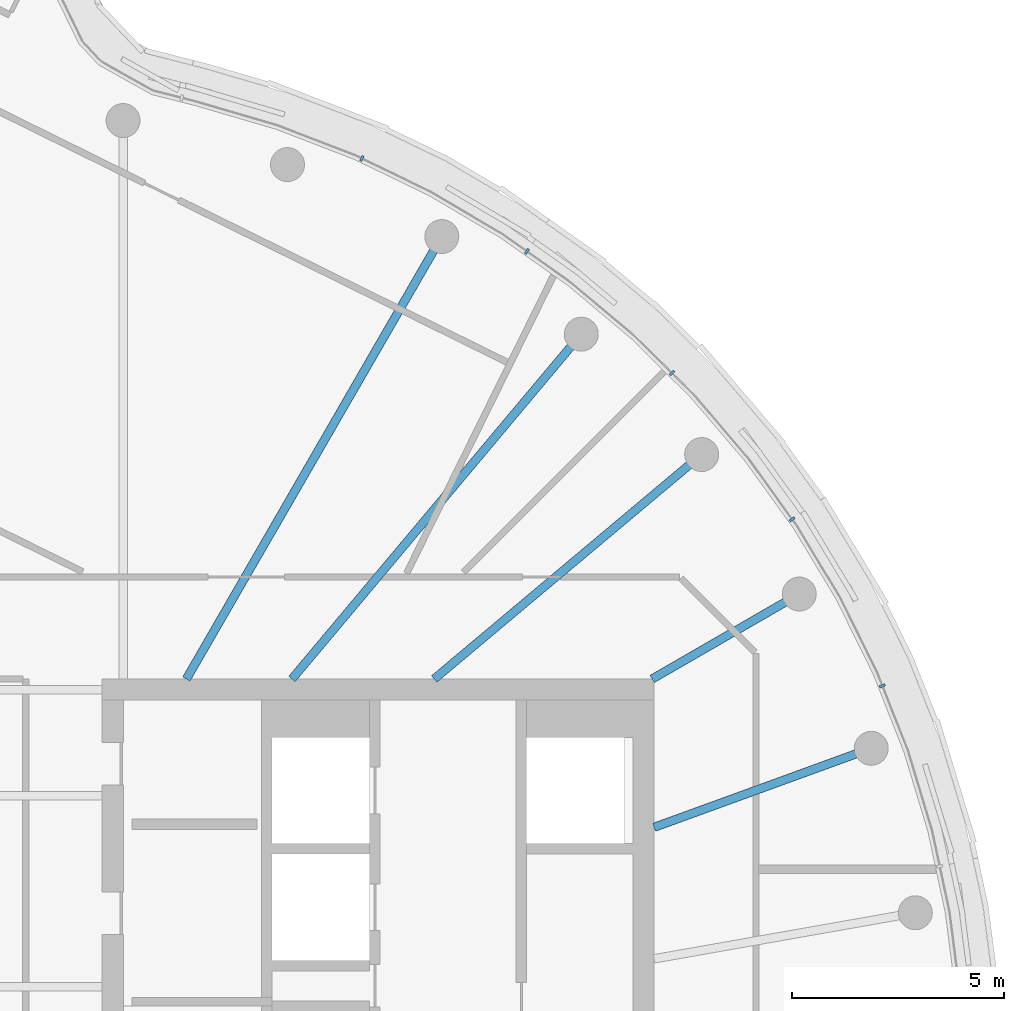
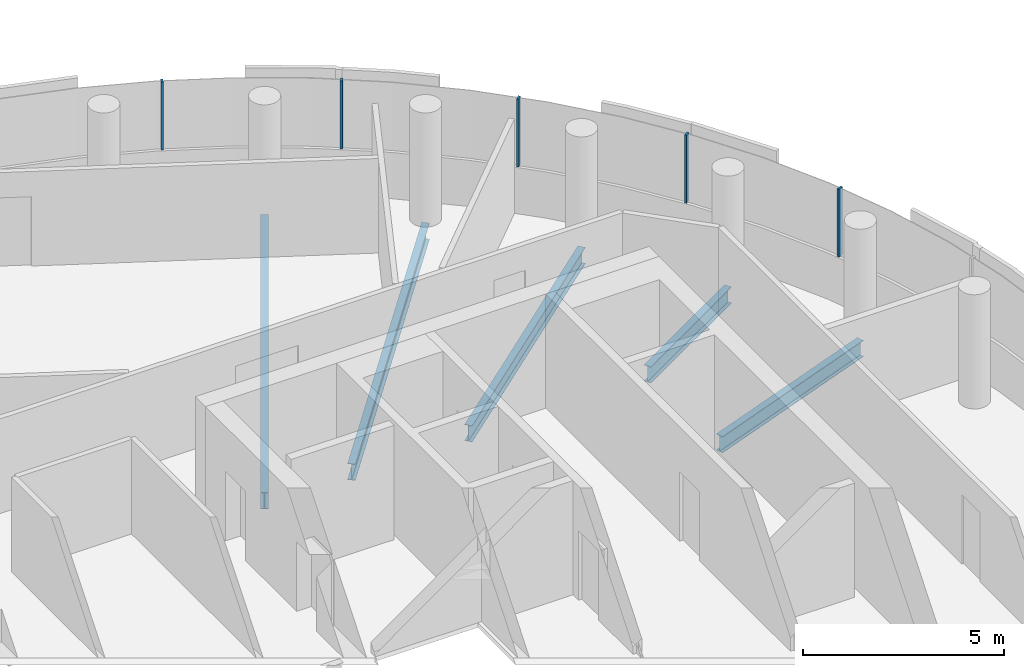
# One storey, part 11 of 21: 5 beams, 5 members, 1 element without a shape of its own.
"""IFC4 building model written with IfcOpenShell, lengths in metres."""

from ifc_helpers import new_model, si_unit, direction, frame, origin, origin_2d, place, context, subcontext, project, spatial, rectangle, i_section, extrude, material, layer, layer_set, material_profile, profile_set, type_object, element, aggregate, save


model = new_model("IFC4")

# Units and contexts
model_context = context("Model", 3, precision=1e-05, world=origin(), true_north=direction((0.0, 1.0)))
body_context = subcontext(model_context, "Body", "Model", "MODEL_VIEW")
ifc_project = project(units=[si_unit("LENGTHUNIT", "METRE"), si_unit("AREAUNIT", "SQUARE_METRE"), si_unit("VOLUMEUNIT", "CUBIC_METRE"), si_unit("PLANEANGLEUNIT", "RADIAN"), si_unit("MASSUNIT", "GRAM", prefix="KILO")], contexts=[model_context])

# Site, building, storey
site_placement = place(None, origin())
site = spatial("IfcSite", under=ifc_project, at=site_placement, CompositionType="ELEMENT")
building_placement = place(site_placement, origin())
building = spatial("IfcBuilding", under=site, at=building_placement, Name="Tamarind Cross Interchange Tower", CompositionType="ELEMENT")
storey_placement = place(building_placement, frame((0.0, 0.0, 264.0)))
storey = spatial("IfcBuildingStorey", under=building, at=storey_placement, Name="L67", CompositionType="ELEMENT", Elevation=264.0)

# Beams
ifc_material_1 = material(Name="Steel Q355B", Category="steel")
ifc_material_profile_1 = material_profile(ifc_material_1, i_section(OverallWidth=0.198974609375, OverallDepth=0.49609375, WebThickness=0.009033203125, FlangeThickness=0.013916015625, FilletRadius=0.012939453125, at=origin_2d()), Name="HN 496x199x9x14")
ifc_profile_set_1 = profile_set([ifc_material_profile_1], Name="Steel Q355B")
beam_type = type_object("IfcBeamType", Name="Composite beam HN 496x199x9x14 Q355B", PredefinedType="BEAM", material=ifc_profile_set_1)
beam_1_placement = place(storey_placement, frame((21.613037109375, 7.866455078125, -0.387939453125), z_axis=(-0.939701685589, -0.341995236956, 0.0), x_axis=(0.341995236956, -0.939701685589, 0.0)))
element("IfcBeam", 1, at=beam_1_placement, inside=storey, type_object=beam_type, Name="Beam HH02", PredefinedType="BEAM", context=body_context, shape_type="SweptSolid", body=[
    extrude(i_section(OverallWidth=0.198974609375, OverallDepth=0.49609375, WebThickness=0.009033203125, FlangeThickness=0.013916015625, FilletRadius=0.012939453125, at=origin_2d()), origin(), (0.0, 0.0, 1.0), 5.441162109375),
])
beam_2_placement = place(storey_placement, frame((19.918701171875, 11.5, -0.387939453125), z_axis=(-0.866026010844, -0.49999894854, 0.0), x_axis=(0.49999894854, -0.866026010844, 0.0)))
element("IfcBeam", 2, at=beam_2_placement, inside=storey, type_object=beam_type, Name="Beam HH03", PredefinedType="BEAM", context=body_context, shape_type="SweptSolid", body=[
    extrude(i_section(OverallWidth=0.198974609375, OverallDepth=0.49609375, WebThickness=0.009033203125, FlangeThickness=0.013916015625, FilletRadius=0.012939453125, at=origin_2d()), origin(), (0.0, 0.0, 1.0), 4.0),
])
beam_3_placement = place(storey_placement, frame((17.619140625, 14.7841796875, -0.387939453125), z_axis=(-0.766040580814, -0.642792212574, 0.0), x_axis=(0.642792212574, -0.766040580814, 0.0)))
element("IfcBeam", 3, at=beam_3_placement, inside=storey, type_object=beam_type, Name="Beam HH04", PredefinedType="BEAM", context=body_context, shape_type="SweptSolid", body=[
    extrude(i_section(OverallWidth=0.198974609375, OverallDepth=0.49609375, WebThickness=0.009033203125, FlangeThickness=0.013916015625, FilletRadius=0.012939453125, at=origin_2d()), origin(), (0.0, 0.0, 1.0), 8.220703125),
])
beam_4_placement = place(storey_placement, frame((14.7841796875, 17.619140625, -0.387939453125), z_axis=(-0.642786293979, -0.766045547127, 0.0), x_axis=(0.766045547127, -0.642786293979, 0.0)))
element("IfcBeam", 4, at=beam_4_placement, inside=storey, type_object=beam_type, Name="Beam HH05", PredefinedType="BEAM", context=body_context, shape_type="SweptSolid", body=[
    extrude(i_section(OverallWidth=0.198974609375, OverallDepth=0.49609375, WebThickness=0.009033203125, FlangeThickness=0.013916015625, FilletRadius=0.012939453125, at=origin_2d()), origin(), (0.0, 0.0, 1.0), 10.598876953125),
])
beam_5_placement = place(storey_placement, frame((11.5, 19.918701171875, -0.387939453125), z_axis=(-0.499993565836, -0.866029118519, 0.0), x_axis=(0.866029118519, -0.499993565836, 0.0)))
element("IfcBeam", 5, at=beam_5_placement, inside=storey, type_object=beam_type, Name="Beam HH06", PredefinedType="BEAM", context=body_context, shape_type="SweptSolid", body=[
    extrude(i_section(OverallWidth=0.198974609375, OverallDepth=0.49609375, WebThickness=0.009033203125, FlangeThickness=0.013916015625, FilletRadius=0.012939453125, at=origin_2d()), origin(), (0.0, 0.0, 1.0), 12.030517578125),
])

# Curtain wall, members
ifc_material_2 = material(Name="Aluminium 6063-T6", Category="aluminium")
ifc_layer = layer(ifc_material_2, 0.139892578125)
ifc_layer_set = layer_set([ifc_layer], Name="Aluminium 6063-T6")
curtain_wall_type = type_object("IfcCurtainWallType", Name="Hotel curtain wall, 4.5 m bays", PredefinedType="NOTDEFINED", material=ifc_layer_set)
curtain_wall_placement = place(storey_placement, origin())
curtain_wall = element("IfcCurtainWall", 6, at=curtain_wall_placement, inside=storey, type_object=curtain_wall_type, Name="CWS-L67-01", PredefinedType="NOTDEFINED")
ifc_material_profile_2 = material_profile(ifc_material_2, rectangle(XDim=0.06005859375, YDim=0.139892578125, at=origin_2d()), Name="Mullion CW2")
ifc_profile_set_2 = profile_set([ifc_material_profile_2], Name="Aluminium 6063-T6")
member_type = type_object("IfcMemberType", Name="Mullion CW2", PredefinedType="MULLION", material=ifc_profile_set_2)
member_1_placement = place(storey_placement, frame((21.874755859375, 9.337158203125, 1.39990234375), z_axis=(0.0, 0.0, 1.0), x_axis=(-0.367513773146, 0.930018078613, 0.0)))
member_1 = element("IfcMember", 7, at=member_1_placement, type_object=member_type, Name="CWM-L67-01-24", PredefinedType="MULLION", context=body_context, shape_type="SweptSolid", body=[
    extrude(rectangle(XDim=0.06005859375, YDim=0.139892578125, at=origin_2d()), origin(), (0.0, 0.0, 1.0), 2.06005859375),
])
member_2_placement = place(storey_placement, frame((19.751220703125, 13.25830078125, 1.39990234375), z_axis=(0.0, 0.0, 1.0), x_axis=(-0.584573890505, 0.811340475102, 0.0)))
member_2 = element("IfcMember", 8, at=member_2_placement, type_object=member_type, Name="CWM-L67-01-25", PredefinedType="MULLION", context=body_context, shape_type="SweptSolid", body=[
    extrude(rectangle(XDim=0.06005859375, YDim=0.139892578125, at=origin_2d()), origin(), (0.0, 0.0, 1.0), 2.06005859375),
])
member_3_placement = place(storey_placement, frame((16.920654296875, 16.7041015625, 1.39990234375), z_axis=(0.0, 0.0, 1.0), x_axis=(-0.710143317658, 0.704057148523, 0.0)))
member_3 = element("IfcMember", 9, at=member_3_placement, type_object=member_type, Name="CWM-L67-01-26", PredefinedType="MULLION", context=body_context, shape_type="SweptSolid", body=[
    extrude(rectangle(XDim=0.06005859375, YDim=0.139892578125, at=origin_2d()), origin(), (0.0, 0.0, 1.0), 2.06005859375),
])
member_4_placement = place(storey_placement, frame((13.5048828125, 19.569580078125, 1.39990234375), z_axis=(0.0, 0.0, 1.0), x_axis=(-0.816341886298, 0.577568978284, 0.0)))
member_4 = element("IfcMember", 10, at=member_4_placement, type_object=member_type, Name="CWM-L67-01-27", PredefinedType="MULLION", context=body_context, shape_type="SweptSolid", body=[
    extrude(rectangle(XDim=0.06005859375, YDim=0.139892578125, at=origin_2d()), origin(), (0.0, 0.0, 1.0), 2.06005859375),
])
member_5_placement = place(storey_placement, frame((9.619140625, 21.7578125, 1.39990234375), z_axis=(0.0, 0.0, 1.0), x_axis=(-0.900272776334, 0.435326231914, 0.0)))
member_5 = element("IfcMember", 11, at=member_5_placement, type_object=member_type, Name="CWM-L67-01-28", PredefinedType="MULLION", context=body_context, shape_type="SweptSolid", body=[
    extrude(rectangle(XDim=0.06005859375, YDim=0.139892578125, at=origin_2d()), origin(), (0.0, 0.0, 1.0), 2.06005859375),
])
aggregate(curtain_wall, [member_1, member_2, member_3, member_4, member_5])

save(model, "model.ifc")
